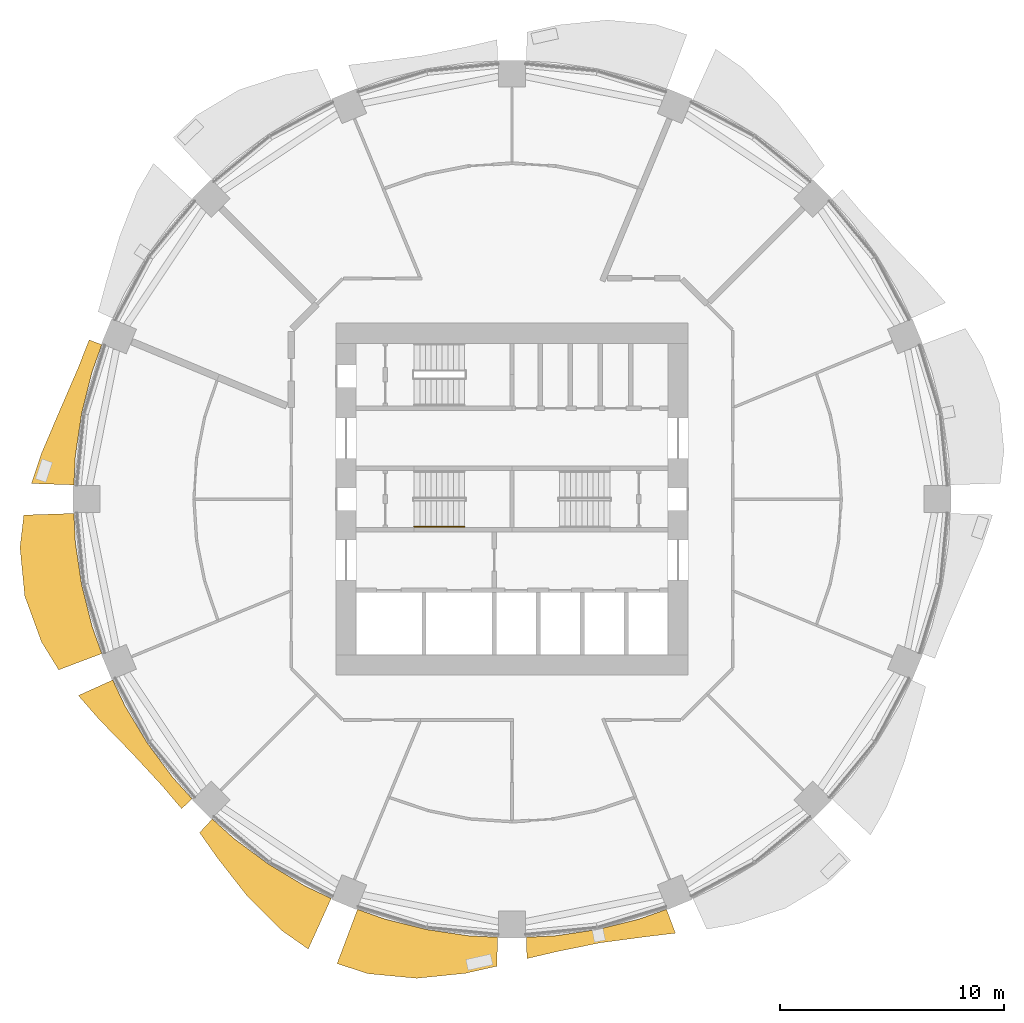
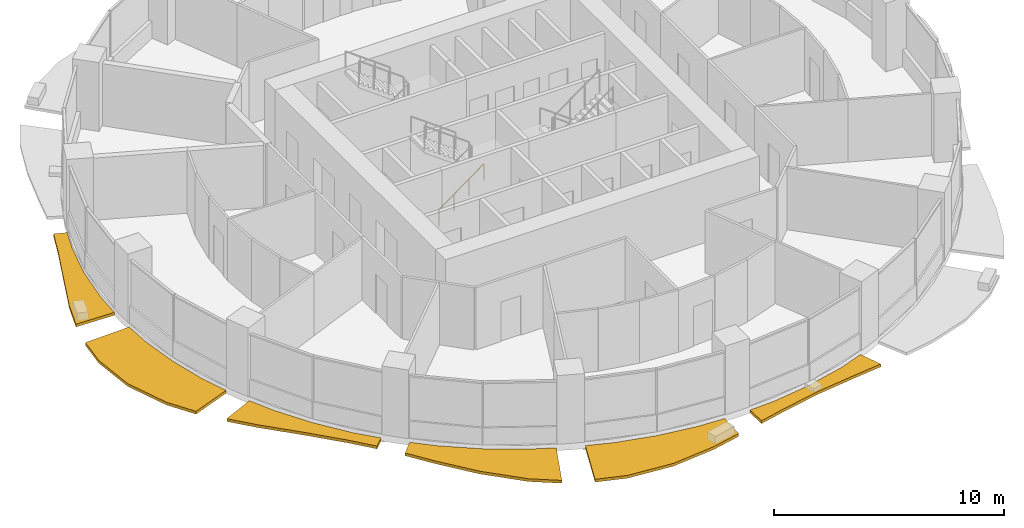
# One storey, part 12 of 15: 6 shading devices, 1 railing.
"""IFC4 building model written with IfcOpenShell, lengths in metres."""

from ifc_helpers import new_model, si_unit, direction, frame, origin, origin_2d, place, context, subcontext, project, spatial, polyline, circle, outline, extrude, material, type_object, element, save


model = new_model("IFC4")

# Units and contexts
model_context = context("Model", 3, precision=1e-05, world=origin(), true_north=direction((0.0, 1.0)))
body_context = subcontext(model_context, "Body", "Model", "MODEL_VIEW")
ifc_project = project(units=[si_unit("LENGTHUNIT", "METRE"), si_unit("AREAUNIT", "SQUARE_METRE"), si_unit("VOLUMEUNIT", "CUBIC_METRE"), si_unit("PLANEANGLEUNIT", "RADIAN"), si_unit("MASSUNIT", "GRAM", prefix="KILO")], contexts=[model_context])

# Site, building, storey
site_placement = place(None, origin())
site = spatial("IfcSite", under=ifc_project, at=site_placement, CompositionType="ELEMENT")
building_placement = place(site_placement, origin())
building = spatial("IfcBuilding", under=site, at=building_placement, Name="Polderwave Tower", CompositionType="ELEMENT")
storey_placement = place(building_placement, frame((0.0, 0.0, 48.10009765625)))
storey = spatial("IfcBuildingStorey", under=building, at=storey_placement, Name="L12", CompositionType="ELEMENT", Elevation=48.10009765625)

# Railing
ifc_material_1 = material(Name="Stainless steel", Category="steel")
railing_type = type_object("IfcRailingType", Name="Stair handrail 900", PredefinedType="HANDRAIL", material=ifc_material_1)
railing_placement = place(storey_placement, frame((-4.3740234375, -1.22509765625, 0.182373046875)))
element("IfcRailing", 1, at=railing_placement, inside=storey, type_object=railing_type, Name="L12 ST-A stair handrail 1", PredefinedType="HANDRAIL", context=body_context, shape_type="SweptSolid", body=[
    extrude(circle(Radius=0.02392578125, at=origin_2d()), frame((0.0, 0.0, 0.8759765625), z_axis=(0.807673635365, 0.0, 0.58962979804), x_axis=(0.0, 1.0, 0.0)), (0.0, 0.0, 1.0), 2.785888671875),
    extrude(circle(Radius=0.02099609375, at=origin_2d()), origin(), (0.0, 0.0, 1.0), 0.851806640625),
    extrude(circle(Radius=0.02099609375, at=origin_2d()), frame((0.75, 0.0, 0.547607421875)), (0.0, 0.0, 1.0), 0.851806640625),
    extrude(circle(Radius=0.02099609375, at=origin_2d()), frame((1.5, 0.0, 1.094970703125)), (0.0, 0.0, 1.0), 0.851806640625),
    extrude(circle(Radius=0.02099609375, at=origin_2d()), frame((2.25, 0.0, 1.642578125)), (0.0, 0.0, 1.0), 0.851806640625),
])

# Shading devices
ifc_material_2 = material(Name="Terracotta", Category="masonry")
shading_device_type = type_object("IfcShadingDeviceType", Name="Terracotta sunshade band", PredefinedType="USERDEFINED", material=ifc_material_2)
shading_device_1_placement = place(storey_placement, frame((0.0, 0.0, -0.35009765625)))
element("IfcShadingDevice", 2, at=shading_device_1_placement, inside=storey, type_object=shading_device_type, Name="Sunshade band L12 8", ObjectType="SUNSHADE", PredefinedType="USERDEFINED", context=body_context, shape_type="SweptSolid", body=[
    extrude(outline(polyline([(-18.35107421875, 6.91064453125), (-18.78466796875, 5.6982421875), (-19.252685546875, 3.82958984375), (-19.535400390625, 1.924072265625), (-19.5986328125, 0.637939453125), (-21.49951171875, 0.699951171875), (-21.041259765625, 2.072509765625), (-20.208251953125, 4.019775390625), (-19.4033203125, 5.885986328125), (-18.916015625, 7.123291015625), (-18.35107421875, 6.91064453125)])), origin(), (0.0, 0.0, 1.0), 0.14990234375),
])
shading_device_2_placement = place(storey_placement, frame((0.0, 0.0, -0.35009765625)))
element("IfcShadingDevice", 3, at=shading_device_2_placement, inside=storey, type_object=shading_device_type, Name="Sunshade band L12 9", ObjectType="SUNSHADE", PredefinedType="USERDEFINED", context=body_context, shape_type="SweptSolid", body=[
    extrude(outline(polyline([(-19.5986328125, -0.637939453125), (-19.535400390625, -1.924072265625), (-19.252685546875, -3.82958984375), (-18.78466796875, -5.6982421875), (-18.35107421875, -6.91064453125), (-20.279296875, -7.63671875), (-21.048828125, -6.385009765625), (-21.797119140625, -4.335693359375), (-22.010498046875, -2.16796875), (-21.839599609375, -0.7109375), (-19.5986328125, -0.637939453125)])), origin(), (0.0, 0.0, 1.0), 0.14990234375),
])
shading_device_3_placement = place(storey_placement, frame((0.0, 0.0, -0.35009765625)))
element("IfcShadingDevice", 4, at=shading_device_3_placement, inside=storey, type_object=shading_device_type, Name="Sunshade band L12 10", ObjectType="SUNSHADE", PredefinedType="USERDEFINED", context=body_context, shape_type="SweptSolid", body=[
    extrude(outline(polyline([(-17.862548828125, -8.089599609375), (-17.31201171875, -9.25341796875), (-16.32177734375, -10.90576171875), (-15.17431640625, -12.453125), (-14.3095703125, -13.4072265625), (-14.781494140625, -13.849365234375), (-15.640869140625, -12.836181640625), (-17.00341796875, -11.361328125), (-18.457763671875, -9.865966796875), (-19.400390625, -8.785888671875), (-17.862548828125, -8.089599609375)])), origin(), (0.0, 0.0, 1.0), 0.14990234375),
])
shading_device_4_placement = place(storey_placement, frame((0.0, 0.0, -0.35009765625)))
element("IfcShadingDevice", 5, at=shading_device_4_placement, inside=storey, type_object=shading_device_type, Name="Sunshade band L12 11", ObjectType="SUNSHADE", PredefinedType="USERDEFINED", context=body_context, shape_type="SweptSolid", body=[
    extrude(outline(polyline([(-13.4072265625, -14.3095703125), (-12.453125, -15.17431640625), (-10.90576171875, -16.32177734375), (-9.25341796875, -17.31201171875), (-8.089599609375, -17.862548828125), (-9.11572265625, -20.128662109375), (-10.310791015625, -19.290283203125), (-11.85546875, -17.742919921875), (-13.17529296875, -16.05419921875), (-13.97705078125, -14.917724609375), (-13.4072265625, -14.3095703125)])), origin(), (0.0, 0.0, 1.0), 0.14990234375),
])
shading_device_5_placement = place(storey_placement, frame((0.0, 0.0, -0.35009765625)))
element("IfcShadingDevice", 6, at=shading_device_5_placement, inside=storey, type_object=shading_device_type, Name="Sunshade band L12 12", ObjectType="SUNSHADE", PredefinedType="USERDEFINED", context=body_context, shape_type="SweptSolid", body=[
    extrude(outline(polyline([(-6.91064453125, -18.35107421875), (-5.6982421875, -18.78466796875), (-3.82958984375, -19.252685546875), (-1.924072265625, -19.535400390625), (-0.637939453125, -19.5986328125), (-0.680419921875, -20.89599609375), (-2.08935546875, -21.21435546875), (-4.263916015625, -21.435791015625), (-6.439697265625, -21.228515625), (-7.825439453125, -20.780517578125), (-6.91064453125, -18.35107421875)])), origin(), (0.0, 0.0, 1.0), 0.14990234375),
])
shading_device_6_placement = place(storey_placement, frame((0.0, 0.0, -0.35009765625)))
element("IfcShadingDevice", 7, at=shading_device_6_placement, inside=storey, type_object=shading_device_type, Name="Sunshade band L12 13", ObjectType="SUNSHADE", PredefinedType="USERDEFINED", context=body_context, shape_type="SweptSolid", body=[
    extrude(outline(polyline([(0.637939453125, -19.5986328125), (1.924072265625, -19.535400390625), (3.82958984375, -19.252685546875), (5.6982421875, -18.78466796875), (6.91064453125, -18.35107421875), (7.312255859375, -19.417236328125), (5.9404296875, -19.5830078125), (3.94775390625, -19.84716796875), (1.993896484375, -20.244873046875), (0.669189453125, -20.555908203125), (0.637939453125, -19.5986328125)])), origin(), (0.0, 0.0, 1.0), 0.14990234375),
])

save(model, "model.ifc")
